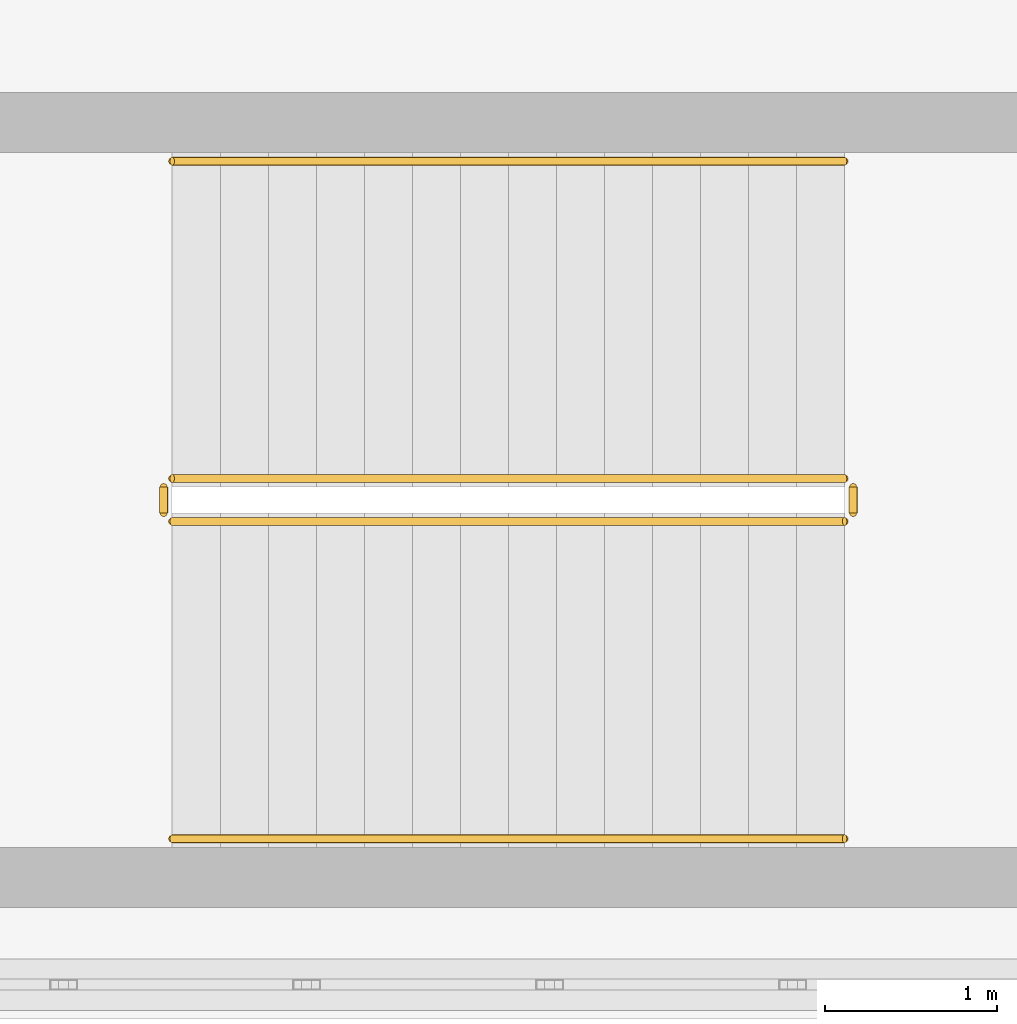
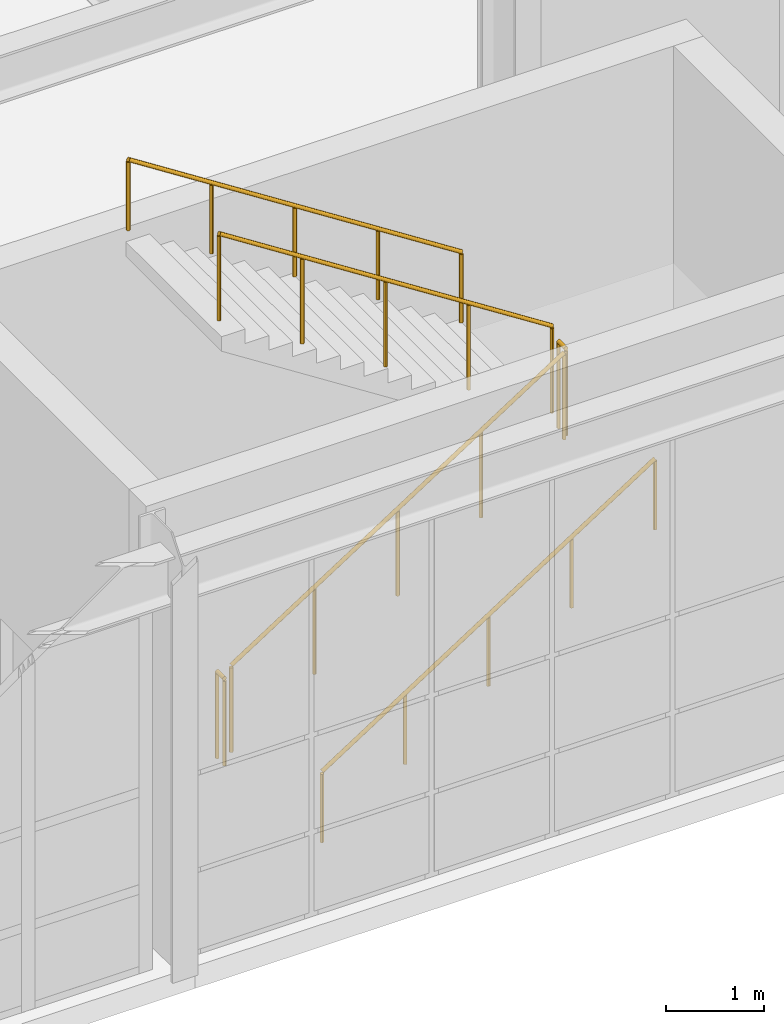
# One storey, part 186 of 210: 6 railings.
"""IFC4 building model written with IfcOpenShell, lengths in metres."""

from ifc_helpers import new_model, si_unit, direction, frame, origin, origin_2d, place, context, subcontext, project, spatial, circle, extrude, material, type_object, element, save


model = new_model("IFC4")

# Units and contexts
model_context = context("Model", 3, precision=1e-05, world=origin(), true_north=direction((0.0, 1.0)))
body_context = subcontext(model_context, "Body", "Model", "MODEL_VIEW")
ifc_project = project(units=[si_unit("LENGTHUNIT", "METRE"), si_unit("AREAUNIT", "SQUARE_METRE"), si_unit("VOLUMEUNIT", "CUBIC_METRE"), si_unit("PLANEANGLEUNIT", "RADIAN"), si_unit("MASSUNIT", "GRAM", prefix="KILO")], contexts=[model_context])

# Site, building, storey
site_placement = place(None, origin())
site = spatial("IfcSite", under=ifc_project, at=site_placement, CompositionType="ELEMENT")
building_placement = place(site_placement, origin())
building = spatial("IfcBuilding", under=site, at=building_placement, Name="Kaldris Quays Convention Centre", CompositionType="ELEMENT")
storey_placement = place(building_placement, frame((0.0, 0.0, 6.0)))
storey = spatial("IfcBuildingStorey", under=building, at=storey_placement, Name="L01", CompositionType="ELEMENT", Elevation=6.0)

# Railings
ifc_material_1 = material(Name="Steel S355J2", Category="steel")
railing_type_1 = type_object("IfcRailingType", Name="INTERIOR GUARDRAIL GR01", PredefinedType="GUARDRAIL", material=ifc_material_1)
railing_1_placement = place(storey_placement, frame((130.300048828125, 40.699951171875, 0.179931640625)))
element("IfcRailing", 1, at=railing_1_placement, inside=storey, type_object=railing_type_1, Name="L01 ST12 Stair Guardrail 1", PredefinedType="GUARDRAIL", context=body_context, shape_type="SweptSolid", body=[
    extrude(circle(Radius=0.02392578125, at=origin_2d()), frame((0.0, 0.0, 1.076171875), z_axis=(0.841171666519, 0.0, 0.540768182723), x_axis=(0.0, 1.0, 0.0)), (0.0, 0.0, 1.0), 4.66015625),
    extrude(circle(Radius=0.02099609375, at=origin_2d()), origin(), (0.0, 0.0, 1.0), 1.052001953125),
    extrude(circle(Radius=0.02099609375, at=origin_2d()), frame((0.97998046875, 0.0, 0.6298828125)), (0.0, 0.0, 1.0), 1.052001953125),
    extrude(circle(Radius=0.02099609375, at=origin_2d()), frame((1.9599609375, 0.0, 1.260009765625)), (0.0, 0.0, 1.0), 1.052001953125),
    extrude(circle(Radius=0.02099609375, at=origin_2d()), frame((2.93994140625, 0.0, 1.89013671875)), (0.0, 0.0, 1.0), 1.052001953125),
    extrude(circle(Radius=0.02099609375, at=origin_2d()), frame((3.919921875, 0.0, 2.52001953125)), (0.0, 0.0, 1.0), 1.052001953125),
])
railing_2_placement = place(storey_placement, frame((134.27001953125, 40.75, 2.699951171875)))
element("IfcRailing", 2, at=railing_2_placement, inside=storey, type_object=railing_type_1, Name="L01 ST12 Stair Guardrail 2", PredefinedType="GUARDRAIL", context=body_context, shape_type="SweptSolid", body=[
    extrude(circle(Radius=0.02392578125, at=origin_2d()), frame((0.0, 0.0, 1.076171875), z_axis=(0.0, 1.0, 0.0), x_axis=(-1.0, 0.0, 0.0)), (0.0, 0.0, 1.0), 0.14990234375),
    extrude(circle(Radius=0.02099609375, at=origin_2d()), origin(), (0.0, 0.0, 1.0), 1.052001953125),
    extrude(circle(Radius=0.02099609375, at=origin_2d()), frame((0.0, 0.14990234375, 0.0)), (0.0, 0.0, 1.0), 1.052001953125),
])
railing_3_placement = place(storey_placement, frame((134.219970703125, 40.949951171875, 2.8798828125)))
element("IfcRailing", 3, at=railing_3_placement, inside=storey, type_object=railing_type_1, Name="L01 ST12 Stair Guardrail 3", PredefinedType="GUARDRAIL", context=body_context, shape_type="SweptSolid", body=[
    extrude(circle(Radius=0.02392578125, at=origin_2d()), frame((0.0, 0.0, 1.076171875), z_axis=(-0.841171666519, 0.0, 0.540768182723), x_axis=(0.0, -1.0, 0.0)), (0.0, 0.0, 1.0), 4.66015625),
    extrude(circle(Radius=0.02099609375, at=origin_2d()), origin(), (0.0, 0.0, 1.0), 1.052001953125),
    extrude(circle(Radius=0.02099609375, at=origin_2d()), frame((-0.97998046875, 0.0, 0.6298828125)), (0.0, 0.0, 1.0), 1.052001953125),
    extrude(circle(Radius=0.02099609375, at=origin_2d()), frame((-1.9599609375, 0.0, 1.260009765625)), (0.0, 0.0, 1.0), 1.052001953125),
    extrude(circle(Radius=0.02099609375, at=origin_2d()), frame((-2.93994140625, 0.0, 1.89013671875)), (0.0, 0.0, 1.0), 1.052001953125),
    extrude(circle(Radius=0.02099609375, at=origin_2d()), frame((-3.919921875, 0.0, 2.52001953125)), (0.0, 0.0, 1.0), 1.052001953125),
])
railing_4_placement = place(storey_placement, frame((130.25, 40.75, 0.0)))
element("IfcRailing", 4, at=railing_4_placement, inside=storey, type_object=railing_type_1, Name="L01 ST12 Stair Guardrail 4", PredefinedType="GUARDRAIL", context=body_context, shape_type="SweptSolid", body=[
    extrude(circle(Radius=0.02392578125, at=origin_2d()), frame((0.0, 0.0, 1.076171875), z_axis=(0.0, 1.0, 0.0), x_axis=(-1.0, 0.0, 0.0)), (0.0, 0.0, 1.0), 0.14990234375),
    extrude(circle(Radius=0.02099609375, at=origin_2d()), origin(), (0.0, 0.0, 1.0), 1.052001953125),
    extrude(circle(Radius=0.02099609375, at=origin_2d()), frame((0.0, 0.14990234375, 0.0)), (0.0, 0.0, 1.0), 1.052001953125),
])
ifc_material_2 = material(Name="Stainless steel 1.4301", Category="steel")
railing_type_2 = type_object("IfcRailingType", Name="STAIR HANDRAIL HR01", PredefinedType="HANDRAIL", material=ifc_material_2)
railing_5_placement = place(storey_placement, frame((130.300048828125, 38.85009765625, 0.179931640625)))
element("IfcRailing", 5, at=railing_5_placement, inside=storey, type_object=railing_type_2, Name="L01 ST12 Flight Handrail 1", PredefinedType="HANDRAIL", context=body_context, shape_type="SweptSolid", body=[
    extrude(circle(Radius=0.02392578125, at=origin_2d()), frame((0.0, 0.0, 0.8759765625), z_axis=(0.841171666519, 0.0, 0.540768182723), x_axis=(0.0, 1.0, 0.0)), (0.0, 0.0, 1.0), 4.66015625),
    extrude(circle(Radius=0.02099609375, at=origin_2d()), origin(), (0.0, 0.0, 1.0), 0.851806640625),
    extrude(circle(Radius=0.02099609375, at=origin_2d()), frame((0.97998046875, 0.0, 0.6298828125)), (0.0, 0.0, 1.0), 0.851806640625),
    extrude(circle(Radius=0.02099609375, at=origin_2d()), frame((1.9599609375, 0.0, 1.260009765625)), (0.0, 0.0, 1.0), 0.851806640625),
    extrude(circle(Radius=0.02099609375, at=origin_2d()), frame((2.93994140625, 0.0, 1.89013671875)), (0.0, 0.0, 1.0), 0.851806640625),
    extrude(circle(Radius=0.02099609375, at=origin_2d()), frame((3.919921875, 0.0, 2.52001953125)), (0.0, 0.0, 1.0), 0.851806640625),
])
railing_6_placement = place(storey_placement, frame((134.219970703125, 42.800048828125, 2.8798828125)))
element("IfcRailing", 6, at=railing_6_placement, inside=storey, type_object=railing_type_2, Name="L01 ST12 Flight Handrail 2", PredefinedType="HANDRAIL", context=body_context, shape_type="SweptSolid", body=[
    extrude(circle(Radius=0.02392578125, at=origin_2d()), frame((0.0, 0.0, 0.8759765625), z_axis=(-0.841171666519, 0.0, 0.540768182723), x_axis=(0.0, -1.0, 0.0)), (0.0, 0.0, 1.0), 4.66015625),
    extrude(circle(Radius=0.02099609375, at=origin_2d()), origin(), (0.0, 0.0, 1.0), 0.851806640625),
    extrude(circle(Radius=0.02099609375, at=origin_2d()), frame((-0.97998046875, 0.0, 0.6298828125)), (0.0, 0.0, 1.0), 0.851806640625),
    extrude(circle(Radius=0.02099609375, at=origin_2d()), frame((-1.9599609375, 0.0, 1.260009765625)), (0.0, 0.0, 1.0), 0.851806640625),
    extrude(circle(Radius=0.02099609375, at=origin_2d()), frame((-2.93994140625, 0.0, 1.89013671875)), (0.0, 0.0, 1.0), 0.851806640625),
    extrude(circle(Radius=0.02099609375, at=origin_2d()), frame((-3.919921875, 0.0, 2.52001953125)), (0.0, 0.0, 1.0), 0.851806640625),
])

save(model, "model.ifc")
